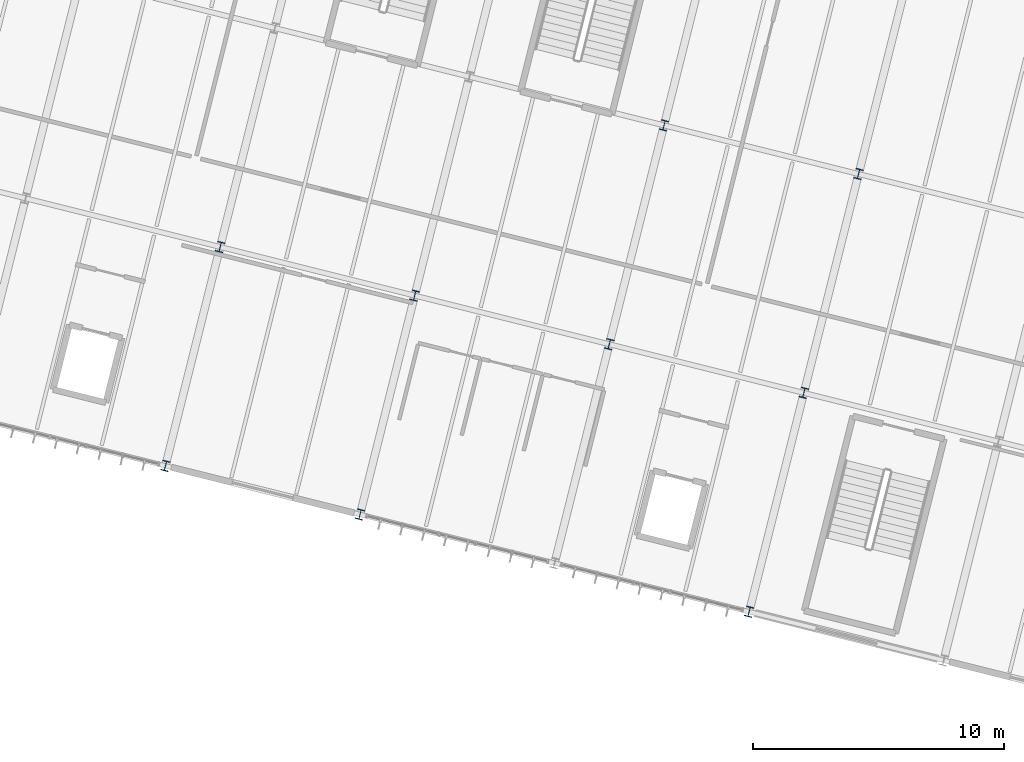
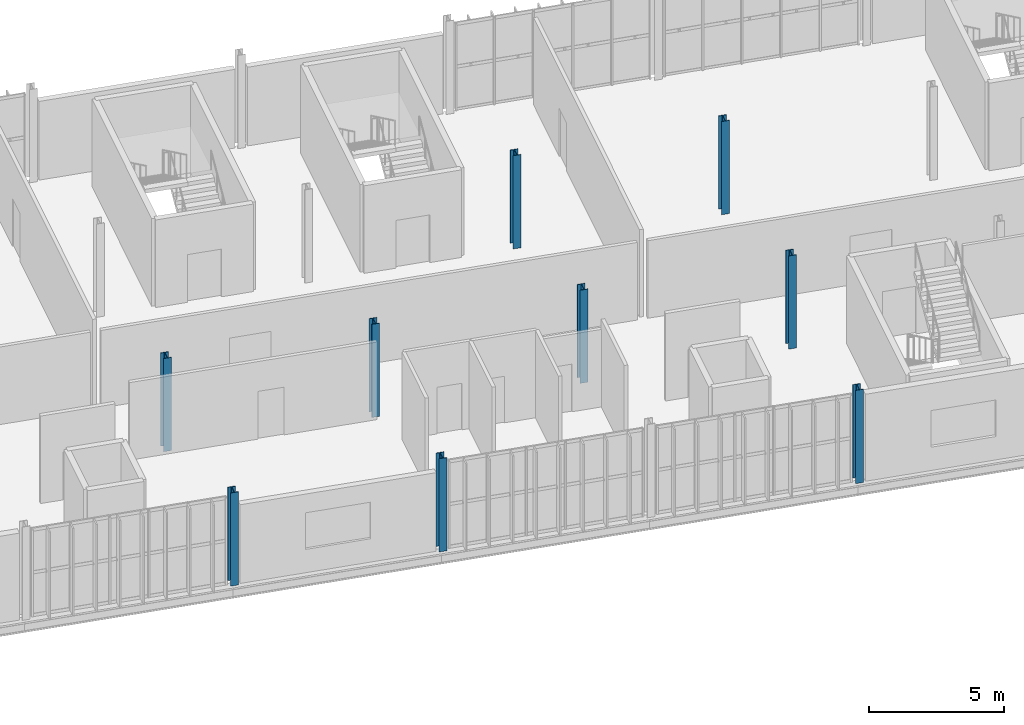
# One storey, part 4 of 61: 9 columns.
"""IFC4 building model written with IfcOpenShell, lengths in metres."""

import ifcopenshell
import ifcopenshell.guid

model = None  # the IFC model being written
_history = None  # IfcOwnerHistory: only IFC2X3 demands one
_inside = {}  # id of a spatial element -> (the spatial element, [elements in it])
_under = {}  # id of a project, library or spatial element -> (it, [spatial elements below it])
_declared = {}  # id of a project -> (the project, [libraries it declares])
_typed = {}  # id of a type object -> (the type object, [elements of that type])
_made_of = {}  # id of a material, layer set ... -> (it, [elements and type objects made of it])


def new_model(schema):
    """Start an empty IFC model of exactly this schema.

    Asked for "IFC4X3", IfcOpenShell would pick the latest addendum, in which some entities
    have other attributes; the version numbers below select the first issue.
    IFC2X3 requires an IfcOwnerHistory on every rooted entity: one is made here for all.
    """
    global model, _history
    if schema == "IFC4X3":
        model = ifcopenshell.file(schema_version=(4, 3, 0, 0))
    else:
        model = ifcopenshell.file(schema=schema)
    _inside.clear()
    _under.clear()
    _declared.clear()
    _typed.clear()
    _made_of.clear()
    _history = None
    if model.schema == "IFC2X3":
        org = make("IfcOrganization", Name="unknown")
        user = make(
            "IfcPersonAndOrganization",
            ThePerson=make("IfcPerson", FamilyName="unknown"),
            TheOrganization=org,
        )
        app = make(
            "IfcApplication",
            ApplicationDeveloper=org,
            Version="unknown",
            ApplicationFullName="unknown",
            ApplicationIdentifier="unknown",
        )
        _history = make(
            "IfcOwnerHistory",
            OwningUser=user,
            OwningApplication=app,
            ChangeAction="ADDED",
            CreationDate=0,
        )
    return model


def make(cls, **values):
    """One entity of the class cls with the attributes given. An attribute that is None is left unset."""
    return model.create_entity(
        cls, **{name: value for name, value in values.items() if value is not None}
    )


def rooted(cls, **values):
    """An entity with a GlobalId (a new one), such as an element, a storey or a relation."""
    return make(cls, GlobalId=ifcopenshell.guid.new(), OwnerHistory=_history, **values)


def si_unit(unit_type, name, prefix=None):
    """IfcSIUnit, for example si_unit("LENGTHUNIT", "METRE", prefix="MILLI")."""
    return make("IfcSIUnit", UnitType=unit_type, Prefix=prefix, Name=name)


def derived_unit(unit_type, elements):
    """IfcDerivedUnit: a product of units, each with its exponent."""
    return make(
        "IfcDerivedUnit",
        Elements=[
            make("IfcDerivedUnitElement", Unit=unit, Exponent=power)
            for unit, power in elements
        ],
        UnitType=unit_type,
    )


def assignment(units):
    """IfcUnitAssignment: the units of a project."""
    return None if units is None else make("IfcUnitAssignment", Units=units)


def point(xyz):
    """IfcCartesianPoint."""
    return None if xyz is None else make("IfcCartesianPoint", Coordinates=xyz)


def direction(xyz):
    """IfcDirection."""
    return None if xyz is None else make("IfcDirection", DirectionRatios=xyz)


def frame(location, z_axis=None, x_axis=None):
    """IfcAxis2Placement3D, a coordinate frame: its origin and axes. An axis left out is left unset."""
    return make(
        "IfcAxis2Placement3D",
        Location=point(location),
        Axis=direction(z_axis),
        RefDirection=direction(x_axis),
    )


def frame_2d(location, x_axis=None):
    """IfcAxis2Placement2D, a coordinate frame in the plane: its origin and x axis."""
    return make(
        "IfcAxis2Placement2D", Location=point(location), RefDirection=direction(x_axis)
    )


def origin():
    """The frame at (0, 0, 0) with its axes left unset."""
    return frame((0.0, 0.0, 0.0))


def origin_2d():
    """The frame at (0, 0) in the plane with its x axis left unset."""
    return frame_2d((0.0, 0.0))


def place(relative_to, where):
    """IfcLocalPlacement: puts the frame where relative to a parent placement (None: the world)."""
    return make(
        "IfcLocalPlacement", PlacementRelTo=relative_to, RelativePlacement=where
    )


def context(
    kind, dimensions, precision=None, world=None, true_north=None, identifier=None
):
    """IfcGeometricRepresentationContext, for example the 3D "Model" context."""
    return make(
        "IfcGeometricRepresentationContext",
        ContextIdentifier=identifier,
        ContextType=kind,
        CoordinateSpaceDimension=dimensions,
        Precision=precision,
        WorldCoordinateSystem=world,
        TrueNorth=true_north,
    )


def subcontext(parent, identifier, kind, view, scale=None):
    """IfcGeometricRepresentationSubContext, for example "Body" below "Model"."""
    return make(
        "IfcGeometricRepresentationSubContext",
        ContextIdentifier=identifier,
        ContextType=kind,
        ParentContext=parent,
        TargetScale=scale,
        TargetView=view,
    )


def project(units=None, contexts=None):
    """IfcProject with its units and contexts."""
    return rooted(
        "IfcProject",
        Name="project",
        RepresentationContexts=contexts,
        UnitsInContext=assignment(units),
    )


def spatial(cls, under=None, at=None, **own):
    """A site, building, storey or space (cls), placed at a placement, below another one or the project."""
    s = rooted(cls, ObjectPlacement=at, **own)
    if under is not None:
        _under.setdefault(under.id(), (under, []))[1].append(s)
    return s


def profile(cls, at=None, kind="AREA", **sizes):
    """A parametric profile (cls). Its sizes go by their IFC names, for example OverallWidth=200.0."""
    return make(cls, ProfileType=kind, Position=at, **sizes)


def i_section(**sizes):
    """IfcIShapeProfileDef."""
    return profile("IfcIShapeProfileDef", **sizes)


def extrude(swept, where, along, depth):
    """IfcExtrudedAreaSolid: the profile swept, set in the frame where, extruded along a direction by depth."""
    return make(
        "IfcExtrudedAreaSolid",
        SweptArea=swept,
        Position=where,
        ExtrudedDirection=direction(along),
        Depth=depth,
    )


def shape(context_of_items, identifier, shape_type, items):
    """IfcShapeRepresentation: the items that make up one representation, for example the "Body"."""
    return make(
        "IfcShapeRepresentation",
        ContextOfItems=context_of_items,
        RepresentationIdentifier=identifier,
        RepresentationType=shape_type,
        Items=items,
    )


def material(Name=None, Category=None):
    """IfcMaterial."""
    return make("IfcMaterial", Name=Name, Category=Category)


def material_profile(
    of_material, cross_section, Name=None, Category=None, Priority=None
):
    """IfcMaterialProfile: a cross section and its material."""
    return make(
        "IfcMaterialProfile",
        Name=Name,
        Material=of_material,
        Profile=cross_section,
        Priority=Priority,
        Category=Category,
    )


def profile_set(profiles, Name=None, composite=None):
    """IfcMaterialProfileSet."""
    return make(
        "IfcMaterialProfileSet",
        Name=Name,
        MaterialProfiles=profiles,
        CompositeProfile=composite,
    )


def made_of(thing, what):
    """Note that an element or type object is made of a material, layer set ...; save() writes the relation."""
    if what is not None:
        _made_of.setdefault(what.id(), (what, []))[1].append(thing)
    return thing


def type_object(cls, material=None, **own):
    """A type object (cls), such as IfcWallType, which elements share."""
    return made_of(rooted(cls, **own), material)


def element(
    cls,
    number,
    at=None,
    inside=None,
    cuts=None,
    type_object=None,
    material=None,
    context=None,
    identifier="Body",
    shape_type=None,
    held_by="IfcProductDefinitionShape",
    body=None,
    shapes=None,
    **own,
):
    """One element of the class cls, such as IfcWall. Its Tag is "e" and its number.

    at: its placement. inside: the storey or other place that contains it. cuts: it is an
    opening in that element (IfcRelVoidsElement). A single representation is given by context,
    identifier, shape_type and body (its items); several are given by shapes. held_by: the class
    of the entity that holds the representations. save() writes the other relations.
    """
    e = rooted(cls, Tag="e%d" % number, ObjectPlacement=at, **own)
    if body is not None:
        shapes = [shape(context, identifier, shape_type, body)]
    if shapes is not None:
        e.Representation = make(held_by, Representations=shapes)
    if inside is not None:
        _inside.setdefault(inside.id(), (inside, []))[1].append(e)
    if cuts is not None:
        rooted(
            "IfcRelVoidsElement", RelatingBuildingElement=cuts, RelatedOpeningElement=e
        )
    if type_object is not None:
        _typed.setdefault(type_object.id(), (type_object, []))[1].append(e)
    return made_of(e, material)


def aggregate(whole, parts):
    """IfcRelAggregates: a whole, such as a stair, and the parts it consists of."""
    return rooted("IfcRelAggregates", RelatingObject=whole, RelatedObjects=parts)


def save(model, path):
    """Write the relations noted so far, then the file.

    IfcRelAggregates (storeys below a building ...), IfcRelContainedInSpatialStructure (elements
    in a storey), IfcRelDefinesByType, IfcRelAssociatesMaterial and IfcRelDeclares: one each for
    every whole, place, type object, material and project.
    """
    for whole, parts in _under.values():
        aggregate(whole, parts)
    for where, things in _inside.values():
        rooted(
            "IfcRelContainedInSpatialStructure",
            RelatedElements=things,
            RelatingStructure=where,
        )
    for kind, things in _typed.values():
        rooted("IfcRelDefinesByType", RelatedObjects=things, RelatingType=kind)
    for what, things in _made_of.values():
        rooted("IfcRelAssociatesMaterial", RelatedObjects=things, RelatingMaterial=what)
    for by, libraries in _declared.values():
        rooted("IfcRelDeclares", RelatingContext=by, RelatedDefinitions=libraries)
    model.write(path)


model = new_model("IFC4")

# Units and contexts
model_context = context("Model", 3, precision=1e-05, world=origin(), true_north=direction((0.0, 1.0)))
body_context = subcontext(model_context, "Body", "Model", "MODEL_VIEW")
ifc_project = project(units=[si_unit("LENGTHUNIT", "METRE"), si_unit("AREAUNIT", "SQUARE_METRE"), si_unit("VOLUMEUNIT", "CUBIC_METRE"), si_unit("PLANEANGLEUNIT", "RADIAN"), si_unit("MASSUNIT", "GRAM", prefix="KILO"), si_unit("THERMODYNAMICTEMPERATUREUNIT", "KELVIN"), si_unit("TIMEUNIT", "SECOND"), derived_unit("THERMALTRANSMITTANCEUNIT", [(si_unit("MASSUNIT", "GRAM", prefix="KILO"), 1), (si_unit("THERMODYNAMICTEMPERATUREUNIT", "KELVIN"), -1), (si_unit("TIMEUNIT", "SECOND"), -3)])], contexts=[model_context])

# Site, building, storey
site_placement = place(None, origin())
site = spatial("IfcSite", under=ifc_project, at=site_placement, CompositionType="ELEMENT")
building_placement = place(site_placement, origin())
building = spatial("IfcBuilding", under=site, at=building_placement, Name="Cambertide Market Hall", CompositionType="ELEMENT")
storey_placement = place(building_placement, frame((0.0, 0.0, 9.89990234375)))
storey = spatial("IfcBuildingStorey", under=building, at=storey_placement, Name="L03", CompositionType="ELEMENT", Elevation=9.89990234375)

# Columns
ifc_material_1 = material(Name="Steel S355", Category="steel")
ifc_material_profile_1 = material_profile(ifc_material_1, i_section(OverallWidth=0.300048828125, OverallDepth=0.39990234375, WebThickness=0.013427734375, FlangeThickness=0.02392578125, FilletRadius=0.027099609375, at=origin_2d()), Name="HEB 400")
ifc_profile_set_1 = profile_set([ifc_material_profile_1], Name="Steel S355")
column_type_1 = type_object("IfcColumnType", Name="Exterior Steel Column HEB 400", PredefinedType="COLUMN", material=ifc_profile_set_1)
for number, where, z_axis, x_axis, name in (
    (1, (131.283447265625, 94.17919921875, 0.0), (0.0, 0.0, 1.0), (0.970142500145, -0.242535625038, 0.0), "Level 3 Column COL-V4-4-1-L03"),
    (2, (139.044677734375, 92.23876953125, 0.0), (0.0, 0.0, 1.0), (0.970142500145, -0.242535625038, 0.0), "Level 3 Column COL-V4-5-1-L03"),
    (3, (154.56689453125, 88.3583984375, 0.0), (0.0, 0.0, 1.0), (0.970142500145, -0.242535625038, 0.0), "Level 3 Column COL-V4-7-1-L03"),
):
    element("IfcColumn", number, at=place(storey_placement, frame(where, z_axis=z_axis, x_axis=x_axis)), inside=storey, type_object=column_type_1, Name=name, PredefinedType="COLUMN", context=body_context, shape_type="SweptSolid", body=[
        extrude(i_section(OverallWidth=0.300048828125, OverallDepth=0.39990234375, WebThickness=0.013427734375, FlangeThickness=0.02392578125, FilletRadius=0.027099609375, at=origin_2d()), origin(), (0.0, 0.0, 1.0), 4.2001953125),
    ])
ifc_material_2 = material(Name="Steel S355", Category="steel")
ifc_material_profile_2 = material_profile(ifc_material_2, i_section(OverallWidth=0.300048828125, OverallDepth=0.39990234375, WebThickness=0.013427734375, FlangeThickness=0.02392578125, FilletRadius=0.027099609375, at=origin_2d()), Name="HEB 400")
ifc_profile_set_2 = profile_set([ifc_material_profile_2], Name="Steel S355")
column_type_2 = type_object("IfcColumnType", Name="Steel Column HEB 400", PredefinedType="COLUMN", material=ifc_profile_set_2)
for number, where, z_axis, x_axis, name in (
    (4, (133.46630859375, 102.910400390625, 0.0), (0.0, 0.0, 1.0), (0.970142500145, -0.242535625038, 0.0), "Level 3 Column COL-V4-4-2-L03"),
    (5, (141.227294921875, 100.97021484375, 0.0), (0.0, 0.0, 1.0), (0.970142500145, -0.242535625038, 0.0), "Level 3 Column COL-V4-5-2-L03"),
    (6, (148.988525390625, 99.02978515625, 0.0), (0.0, 0.0, 1.0), (0.970142500145, -0.242535625038, 0.0), "Level 3 Column COL-V4-6-2-L03"),
    (7, (151.17138671875, 107.76123046875, 0.0), (0.0, 0.0, 1.0), (0.970142500145, -0.242535625038, 0.0), "Level 3 Column COL-V4-6-3-L03"),
    (8, (156.749755859375, 97.089599609375, 0.0), (0.0, 0.0, 1.0), (0.970142500145, -0.242535625038, 0.0), "Level 3 Column COL-V4-7-2-L03"),
    (9, (158.932373046875, 105.82080078125, 0.0), (0.0, 0.0, 1.0), (0.970142500145, -0.242535625038, 0.0), "Level 3 Column COL-V4-7-3-L03"),
):
    element("IfcColumn", number, at=place(storey_placement, frame(where, z_axis=z_axis, x_axis=x_axis)), inside=storey, type_object=column_type_2, Name=name, PredefinedType="COLUMN", context=body_context, shape_type="SweptSolid", body=[
        extrude(i_section(OverallWidth=0.300048828125, OverallDepth=0.39990234375, WebThickness=0.013427734375, FlangeThickness=0.02392578125, FilletRadius=0.027099609375, at=origin_2d()), origin(), (0.0, 0.0, 1.0), 4.2001953125),
    ])

save(model, "model.ifc")
